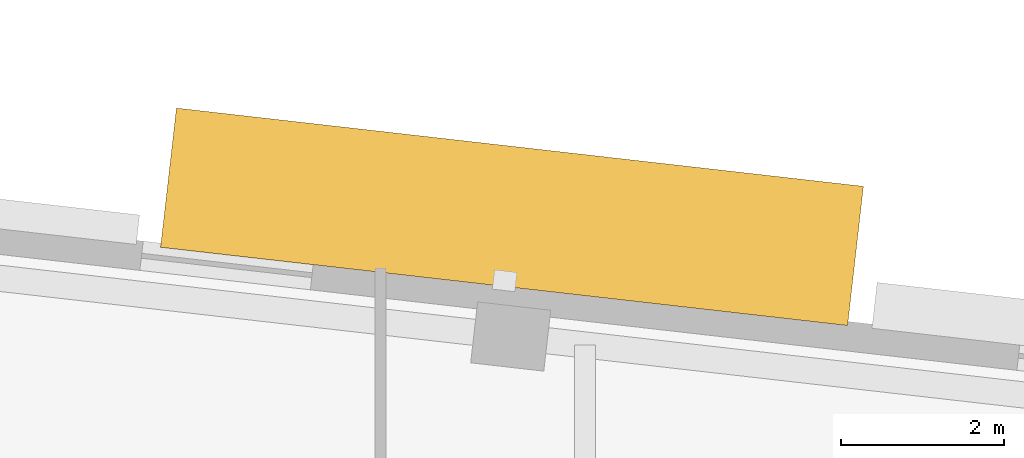
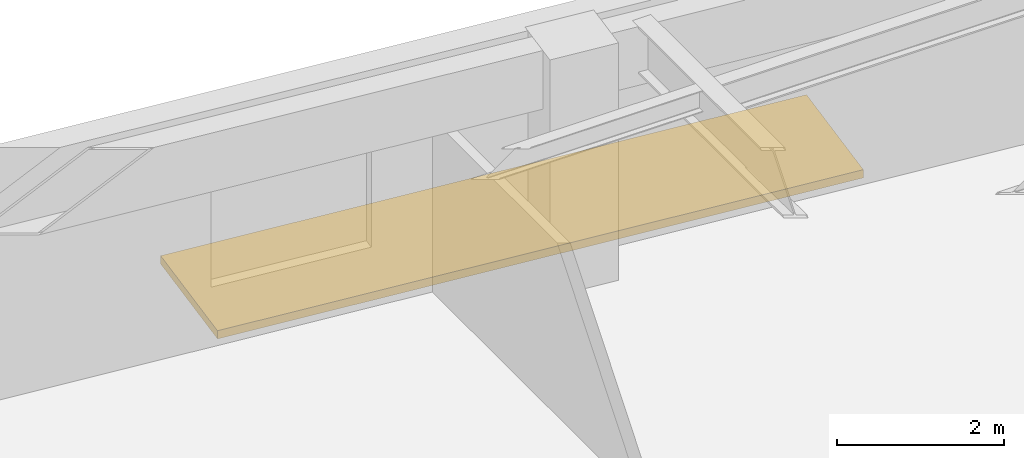
# One storey, part 14 of 14: 1 shading device.
"""IFC4 building model written with IfcOpenShell, lengths in metres."""

import ifcopenshell
import ifcopenshell.guid

model = None  # the IFC model being written
_history = None  # IfcOwnerHistory: only IFC2X3 demands one
_inside = {}  # id of a spatial element -> (the spatial element, [elements in it])
_under = {}  # id of a project, library or spatial element -> (it, [spatial elements below it])
_declared = {}  # id of a project -> (the project, [libraries it declares])
_typed = {}  # id of a type object -> (the type object, [elements of that type])
_made_of = {}  # id of a material, layer set ... -> (it, [elements and type objects made of it])


def new_model(schema):
    """Start an empty IFC model of exactly this schema.

    Asked for "IFC4X3", IfcOpenShell would pick the latest addendum, in which some entities
    have other attributes; the version numbers below select the first issue.
    IFC2X3 requires an IfcOwnerHistory on every rooted entity: one is made here for all.
    """
    global model, _history
    if schema == "IFC4X3":
        model = ifcopenshell.file(schema_version=(4, 3, 0, 0))
    else:
        model = ifcopenshell.file(schema=schema)
    _inside.clear()
    _under.clear()
    _declared.clear()
    _typed.clear()
    _made_of.clear()
    _history = None
    if model.schema == "IFC2X3":
        org = make("IfcOrganization", Name="unknown")
        user = make(
            "IfcPersonAndOrganization",
            ThePerson=make("IfcPerson", FamilyName="unknown"),
            TheOrganization=org,
        )
        app = make(
            "IfcApplication",
            ApplicationDeveloper=org,
            Version="unknown",
            ApplicationFullName="unknown",
            ApplicationIdentifier="unknown",
        )
        _history = make(
            "IfcOwnerHistory",
            OwningUser=user,
            OwningApplication=app,
            ChangeAction="ADDED",
            CreationDate=0,
        )
    return model


def make(cls, **values):
    """One entity of the class cls with the attributes given. An attribute that is None is left unset."""
    return model.create_entity(
        cls, **{name: value for name, value in values.items() if value is not None}
    )


def rooted(cls, **values):
    """An entity with a GlobalId (a new one), such as an element, a storey or a relation."""
    return make(cls, GlobalId=ifcopenshell.guid.new(), OwnerHistory=_history, **values)


def si_unit(unit_type, name, prefix=None):
    """IfcSIUnit, for example si_unit("LENGTHUNIT", "METRE", prefix="MILLI")."""
    return make("IfcSIUnit", UnitType=unit_type, Prefix=prefix, Name=name)


def assignment(units):
    """IfcUnitAssignment: the units of a project."""
    return None if units is None else make("IfcUnitAssignment", Units=units)


def point(xyz):
    """IfcCartesianPoint."""
    return None if xyz is None else make("IfcCartesianPoint", Coordinates=xyz)


def direction(xyz):
    """IfcDirection."""
    return None if xyz is None else make("IfcDirection", DirectionRatios=xyz)


def frame(location, z_axis=None, x_axis=None):
    """IfcAxis2Placement3D, a coordinate frame: its origin and axes. An axis left out is left unset."""
    return make(
        "IfcAxis2Placement3D",
        Location=point(location),
        Axis=direction(z_axis),
        RefDirection=direction(x_axis),
    )


def frame_2d(location, x_axis=None):
    """IfcAxis2Placement2D, a coordinate frame in the plane: its origin and x axis."""
    return make(
        "IfcAxis2Placement2D", Location=point(location), RefDirection=direction(x_axis)
    )


def origin():
    """The frame at (0, 0, 0) with its axes left unset."""
    return frame((0.0, 0.0, 0.0))


def origin_2d():
    """The frame at (0, 0) in the plane with its x axis left unset."""
    return frame_2d((0.0, 0.0))


def place(relative_to, where):
    """IfcLocalPlacement: puts the frame where relative to a parent placement (None: the world)."""
    return make(
        "IfcLocalPlacement", PlacementRelTo=relative_to, RelativePlacement=where
    )


def context(
    kind, dimensions, precision=None, world=None, true_north=None, identifier=None
):
    """IfcGeometricRepresentationContext, for example the 3D "Model" context."""
    return make(
        "IfcGeometricRepresentationContext",
        ContextIdentifier=identifier,
        ContextType=kind,
        CoordinateSpaceDimension=dimensions,
        Precision=precision,
        WorldCoordinateSystem=world,
        TrueNorth=true_north,
    )


def subcontext(parent, identifier, kind, view, scale=None):
    """IfcGeometricRepresentationSubContext, for example "Body" below "Model"."""
    return make(
        "IfcGeometricRepresentationSubContext",
        ContextIdentifier=identifier,
        ContextType=kind,
        ParentContext=parent,
        TargetScale=scale,
        TargetView=view,
    )


def project(units=None, contexts=None):
    """IfcProject with its units and contexts."""
    return rooted(
        "IfcProject",
        Name="project",
        RepresentationContexts=contexts,
        UnitsInContext=assignment(units),
    )


def spatial(cls, under=None, at=None, **own):
    """A site, building, storey or space (cls), placed at a placement, below another one or the project."""
    s = rooted(cls, ObjectPlacement=at, **own)
    if under is not None:
        _under.setdefault(under.id(), (under, []))[1].append(s)
    return s


def profile(cls, at=None, kind="AREA", **sizes):
    """A parametric profile (cls). Its sizes go by their IFC names, for example OverallWidth=200.0."""
    return make(cls, ProfileType=kind, Position=at, **sizes)


def rectangle(**sizes):
    """IfcRectangleProfileDef."""
    return profile("IfcRectangleProfileDef", **sizes)


def extrude(swept, where, along, depth):
    """IfcExtrudedAreaSolid: the profile swept, set in the frame where, extruded along a direction by depth."""
    return make(
        "IfcExtrudedAreaSolid",
        SweptArea=swept,
        Position=where,
        ExtrudedDirection=direction(along),
        Depth=depth,
    )


def shape(context_of_items, identifier, shape_type, items):
    """IfcShapeRepresentation: the items that make up one representation, for example the "Body"."""
    return make(
        "IfcShapeRepresentation",
        ContextOfItems=context_of_items,
        RepresentationIdentifier=identifier,
        RepresentationType=shape_type,
        Items=items,
    )


def material(Name=None, Category=None):
    """IfcMaterial."""
    return make("IfcMaterial", Name=Name, Category=Category)


def made_of(thing, what):
    """Note that an element or type object is made of a material, layer set ...; save() writes the relation."""
    if what is not None:
        _made_of.setdefault(what.id(), (what, []))[1].append(thing)
    return thing


def type_object(cls, material=None, **own):
    """A type object (cls), such as IfcWallType, which elements share."""
    return made_of(rooted(cls, **own), material)


def element(
    cls,
    number,
    at=None,
    inside=None,
    cuts=None,
    type_object=None,
    material=None,
    context=None,
    identifier="Body",
    shape_type=None,
    held_by="IfcProductDefinitionShape",
    body=None,
    shapes=None,
    **own,
):
    """One element of the class cls, such as IfcWall. Its Tag is "e" and its number.

    at: its placement. inside: the storey or other place that contains it. cuts: it is an
    opening in that element (IfcRelVoidsElement). A single representation is given by context,
    identifier, shape_type and body (its items); several are given by shapes. held_by: the class
    of the entity that holds the representations. save() writes the other relations.
    """
    e = rooted(cls, Tag="e%d" % number, ObjectPlacement=at, **own)
    if body is not None:
        shapes = [shape(context, identifier, shape_type, body)]
    if shapes is not None:
        e.Representation = make(held_by, Representations=shapes)
    if inside is not None:
        _inside.setdefault(inside.id(), (inside, []))[1].append(e)
    if cuts is not None:
        rooted(
            "IfcRelVoidsElement", RelatingBuildingElement=cuts, RelatedOpeningElement=e
        )
    if type_object is not None:
        _typed.setdefault(type_object.id(), (type_object, []))[1].append(e)
    return made_of(e, material)


def aggregate(whole, parts):
    """IfcRelAggregates: a whole, such as a stair, and the parts it consists of."""
    return rooted("IfcRelAggregates", RelatingObject=whole, RelatedObjects=parts)


def save(model, path):
    """Write the relations noted so far, then the file.

    IfcRelAggregates (storeys below a building ...), IfcRelContainedInSpatialStructure (elements
    in a storey), IfcRelDefinesByType, IfcRelAssociatesMaterial and IfcRelDeclares: one each for
    every whole, place, type object, material and project.
    """
    for whole, parts in _under.values():
        aggregate(whole, parts)
    for where, things in _inside.values():
        rooted(
            "IfcRelContainedInSpatialStructure",
            RelatedElements=things,
            RelatingStructure=where,
        )
    for kind, things in _typed.values():
        rooted("IfcRelDefinesByType", RelatedObjects=things, RelatingType=kind)
    for what, things in _made_of.values():
        rooted("IfcRelAssociatesMaterial", RelatedObjects=things, RelatingMaterial=what)
    for by, libraries in _declared.values():
        rooted("IfcRelDeclares", RelatingContext=by, RelatedDefinitions=libraries)
    model.write(path)


model = new_model("IFC4")

# Units and contexts
model_context = context("Model", 3, precision=1e-05, world=origin(), true_north=direction((0.0, 1.0)))
body_context = subcontext(model_context, "Body", "Model", "MODEL_VIEW")
ifc_project = project(units=[si_unit("LENGTHUNIT", "METRE"), si_unit("AREAUNIT", "SQUARE_METRE"), si_unit("VOLUMEUNIT", "CUBIC_METRE"), si_unit("PLANEANGLEUNIT", "RADIAN"), si_unit("MASSUNIT", "GRAM", prefix="KILO")], contexts=[model_context])

# Site, building, storey
site_placement = place(None, origin())
site = spatial("IfcSite", under=ifc_project, at=site_placement, CompositionType="ELEMENT")
building_placement = place(site_placement, origin())
building = spatial("IfcBuilding", under=site, at=building_placement, Name="Kolvaren Arena Tower", CompositionType="ELEMENT")
storey_placement = place(building_placement, frame((0.0, 0.0, 258.449951171875)))
storey = spatial("IfcBuildingStorey", under=building, at=storey_placement, Name="L63", CompositionType="ELEMENT", Elevation=258.449951171875)

# Shading device
ifc_material = material(Name="Architectural precast GFRC and anodised aluminium sunshade", Category="concrete")
shading_device_type = type_object("IfcShadingDeviceType", Name="SHAD-SINE-B", PredefinedType="JALOUSIE", material=ifc_material)
shading_device_placement = place(storey_placement, frame((43.1064453125, 47.92333984375, -0.139892578125), z_axis=(0.0, 0.0, 1.0), x_axis=(0.993571658098, -0.113204947878, 0.0)))
element("IfcShadingDevice", 1, at=shading_device_placement, inside=storey, type_object=shading_device_type, Name="Sinusoidal Slab-Edge Sunshade Louvre (L63)", PredefinedType="JALOUSIE", context=body_context, shape_type="SweptSolid", body=[
    extrude(rectangle(XDim=8.4599609375, YDim=1.71435546875, at=origin_2d()), origin(), (0.0, 0.0, 1.0), 0.1201171875),
])

save(model, "model.ifc")
